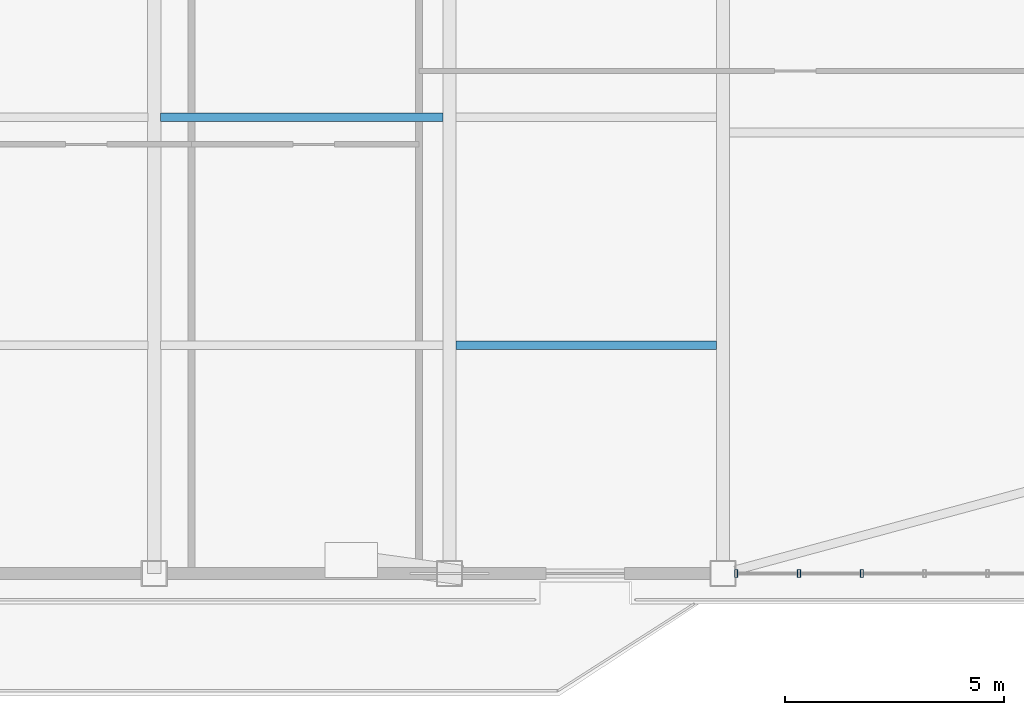
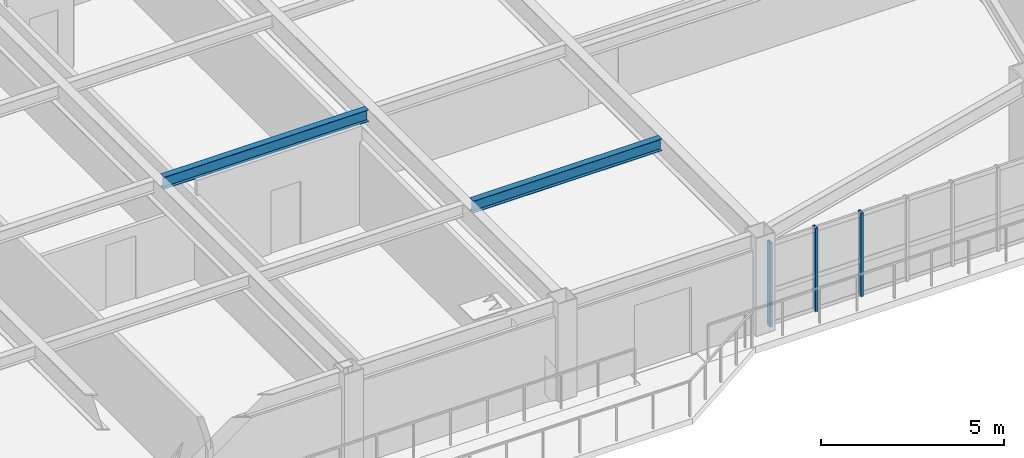
# One storey, part 4 of 17: 3 members, 2 beams, 1 element without a shape of its own.
"""IFC4 building model written with IfcOpenShell, lengths in metres."""

import ifcopenshell
import ifcopenshell.guid

model = None  # the IFC model being written
_history = None  # IfcOwnerHistory: only IFC2X3 demands one
_inside = {}  # id of a spatial element -> (the spatial element, [elements in it])
_under = {}  # id of a project, library or spatial element -> (it, [spatial elements below it])
_declared = {}  # id of a project -> (the project, [libraries it declares])
_typed = {}  # id of a type object -> (the type object, [elements of that type])
_made_of = {}  # id of a material, layer set ... -> (it, [elements and type objects made of it])


def new_model(schema):
    """Start an empty IFC model of exactly this schema.

    Asked for "IFC4X3", IfcOpenShell would pick the latest addendum, in which some entities
    have other attributes; the version numbers below select the first issue.
    IFC2X3 requires an IfcOwnerHistory on every rooted entity: one is made here for all.
    """
    global model, _history
    if schema == "IFC4X3":
        model = ifcopenshell.file(schema_version=(4, 3, 0, 0))
    else:
        model = ifcopenshell.file(schema=schema)
    _inside.clear()
    _under.clear()
    _declared.clear()
    _typed.clear()
    _made_of.clear()
    _history = None
    if model.schema == "IFC2X3":
        org = make("IfcOrganization", Name="unknown")
        user = make(
            "IfcPersonAndOrganization",
            ThePerson=make("IfcPerson", FamilyName="unknown"),
            TheOrganization=org,
        )
        app = make(
            "IfcApplication",
            ApplicationDeveloper=org,
            Version="unknown",
            ApplicationFullName="unknown",
            ApplicationIdentifier="unknown",
        )
        _history = make(
            "IfcOwnerHistory",
            OwningUser=user,
            OwningApplication=app,
            ChangeAction="ADDED",
            CreationDate=0,
        )
    return model


def make(cls, **values):
    """One entity of the class cls with the attributes given. An attribute that is None is left unset."""
    return model.create_entity(
        cls, **{name: value for name, value in values.items() if value is not None}
    )


def rooted(cls, **values):
    """An entity with a GlobalId (a new one), such as an element, a storey or a relation."""
    return make(cls, GlobalId=ifcopenshell.guid.new(), OwnerHistory=_history, **values)


def si_unit(unit_type, name, prefix=None):
    """IfcSIUnit, for example si_unit("LENGTHUNIT", "METRE", prefix="MILLI")."""
    return make("IfcSIUnit", UnitType=unit_type, Prefix=prefix, Name=name)


def assignment(units):
    """IfcUnitAssignment: the units of a project."""
    return None if units is None else make("IfcUnitAssignment", Units=units)


def point(xyz):
    """IfcCartesianPoint."""
    return None if xyz is None else make("IfcCartesianPoint", Coordinates=xyz)


def direction(xyz):
    """IfcDirection."""
    return None if xyz is None else make("IfcDirection", DirectionRatios=xyz)


def frame(location, z_axis=None, x_axis=None):
    """IfcAxis2Placement3D, a coordinate frame: its origin and axes. An axis left out is left unset."""
    return make(
        "IfcAxis2Placement3D",
        Location=point(location),
        Axis=direction(z_axis),
        RefDirection=direction(x_axis),
    )


def frame_2d(location, x_axis=None):
    """IfcAxis2Placement2D, a coordinate frame in the plane: its origin and x axis."""
    return make(
        "IfcAxis2Placement2D", Location=point(location), RefDirection=direction(x_axis)
    )


def origin():
    """The frame at (0, 0, 0) with its axes left unset."""
    return frame((0.0, 0.0, 0.0))


def origin_2d():
    """The frame at (0, 0) in the plane with its x axis left unset."""
    return frame_2d((0.0, 0.0))


def place(relative_to, where):
    """IfcLocalPlacement: puts the frame where relative to a parent placement (None: the world)."""
    return make(
        "IfcLocalPlacement", PlacementRelTo=relative_to, RelativePlacement=where
    )


def context(
    kind, dimensions, precision=None, world=None, true_north=None, identifier=None
):
    """IfcGeometricRepresentationContext, for example the 3D "Model" context."""
    return make(
        "IfcGeometricRepresentationContext",
        ContextIdentifier=identifier,
        ContextType=kind,
        CoordinateSpaceDimension=dimensions,
        Precision=precision,
        WorldCoordinateSystem=world,
        TrueNorth=true_north,
    )


def subcontext(parent, identifier, kind, view, scale=None):
    """IfcGeometricRepresentationSubContext, for example "Body" below "Model"."""
    return make(
        "IfcGeometricRepresentationSubContext",
        ContextIdentifier=identifier,
        ContextType=kind,
        ParentContext=parent,
        TargetScale=scale,
        TargetView=view,
    )


def project(units=None, contexts=None):
    """IfcProject with its units and contexts."""
    return rooted(
        "IfcProject",
        Name="project",
        RepresentationContexts=contexts,
        UnitsInContext=assignment(units),
    )


def spatial(cls, under=None, at=None, **own):
    """A site, building, storey or space (cls), placed at a placement, below another one or the project."""
    s = rooted(cls, ObjectPlacement=at, **own)
    if under is not None:
        _under.setdefault(under.id(), (under, []))[1].append(s)
    return s


def profile(cls, at=None, kind="AREA", **sizes):
    """A parametric profile (cls). Its sizes go by their IFC names, for example OverallWidth=200.0."""
    return make(cls, ProfileType=kind, Position=at, **sizes)


def hollow_rectangle(**sizes):
    """IfcRectangleHollowProfileDef."""
    return profile("IfcRectangleHollowProfileDef", **sizes)


def i_section(**sizes):
    """IfcIShapeProfileDef."""
    return profile("IfcIShapeProfileDef", **sizes)


def extrude(swept, where, along, depth):
    """IfcExtrudedAreaSolid: the profile swept, set in the frame where, extruded along a direction by depth."""
    return make(
        "IfcExtrudedAreaSolid",
        SweptArea=swept,
        Position=where,
        ExtrudedDirection=direction(along),
        Depth=depth,
    )


def shape(context_of_items, identifier, shape_type, items):
    """IfcShapeRepresentation: the items that make up one representation, for example the "Body"."""
    return make(
        "IfcShapeRepresentation",
        ContextOfItems=context_of_items,
        RepresentationIdentifier=identifier,
        RepresentationType=shape_type,
        Items=items,
    )


def source(mapping_origin, context_of_items, identifier, shape_type, items):
    """IfcRepresentationMap: a shape defined once, which mapped items show again and again."""
    return make(
        "IfcRepresentationMap",
        MappingOrigin=mapping_origin,
        MappedRepresentation=shape(context_of_items, identifier, shape_type, items),
    )


def transform(
    local_origin,
    x_axis=None,
    y_axis=None,
    z_axis=None,
    scale=None,
    scale2=None,
    scale3=None,
    uniform=True,
):
    """IfcCartesianTransformationOperator3D, or its non-uniform kind. x_axis, y_axis, z_axis: its Axis1, 2, 3."""
    if uniform:
        return make(
            "IfcCartesianTransformationOperator3D",
            Axis1=direction(x_axis),
            Axis2=direction(y_axis),
            LocalOrigin=point(local_origin),
            Scale=scale,
            Axis3=direction(z_axis),
        )
    return make(
        "IfcCartesianTransformationOperator3DnonUniform",
        Axis1=direction(x_axis),
        Axis2=direction(y_axis),
        LocalOrigin=point(local_origin),
        Scale=scale,
        Axis3=direction(z_axis),
        Scale2=scale2,
        Scale3=scale3,
    )


def mapped(mapping_source, mapping_target):
    """IfcMappedItem: shows the shape of a source again, moved by a transform."""
    return make(
        "IfcMappedItem", MappingSource=mapping_source, MappingTarget=mapping_target
    )


def material(Name=None, Category=None):
    """IfcMaterial."""
    return make("IfcMaterial", Name=Name, Category=Category)


def layer(
    of_material, thickness, ventilated=None, Name=None, Category=None, Priority=None
):
    """IfcMaterialLayer: one layer of a wall or slab, of a material (None: an air gap)."""
    return make(
        "IfcMaterialLayer",
        Material=of_material,
        LayerThickness=thickness,
        IsVentilated=ventilated,
        Name=Name,
        Category=Category,
        Priority=Priority,
    )


def layer_set(layers, Name=None):
    """IfcMaterialLayerSet."""
    return make("IfcMaterialLayerSet", MaterialLayers=layers, LayerSetName=Name)


def material_profile(
    of_material, cross_section, Name=None, Category=None, Priority=None
):
    """IfcMaterialProfile: a cross section and its material."""
    return make(
        "IfcMaterialProfile",
        Name=Name,
        Material=of_material,
        Profile=cross_section,
        Priority=Priority,
        Category=Category,
    )


def profile_set(profiles, Name=None, composite=None):
    """IfcMaterialProfileSet."""
    return make(
        "IfcMaterialProfileSet",
        Name=Name,
        MaterialProfiles=profiles,
        CompositeProfile=composite,
    )


def made_of(thing, what):
    """Note that an element or type object is made of a material, layer set ...; save() writes the relation."""
    if what is not None:
        _made_of.setdefault(what.id(), (what, []))[1].append(thing)
    return thing


def type_object(cls, material=None, **own):
    """A type object (cls), such as IfcWallType, which elements share."""
    return made_of(rooted(cls, **own), material)


def element(
    cls,
    number,
    at=None,
    inside=None,
    cuts=None,
    type_object=None,
    material=None,
    context=None,
    identifier="Body",
    shape_type=None,
    held_by="IfcProductDefinitionShape",
    body=None,
    shapes=None,
    **own,
):
    """One element of the class cls, such as IfcWall. Its Tag is "e" and its number.

    at: its placement. inside: the storey or other place that contains it. cuts: it is an
    opening in that element (IfcRelVoidsElement). A single representation is given by context,
    identifier, shape_type and body (its items); several are given by shapes. held_by: the class
    of the entity that holds the representations. save() writes the other relations.
    """
    e = rooted(cls, Tag="e%d" % number, ObjectPlacement=at, **own)
    if body is not None:
        shapes = [shape(context, identifier, shape_type, body)]
    if shapes is not None:
        e.Representation = make(held_by, Representations=shapes)
    if inside is not None:
        _inside.setdefault(inside.id(), (inside, []))[1].append(e)
    if cuts is not None:
        rooted(
            "IfcRelVoidsElement", RelatingBuildingElement=cuts, RelatedOpeningElement=e
        )
    if type_object is not None:
        _typed.setdefault(type_object.id(), (type_object, []))[1].append(e)
    return made_of(e, material)


def aggregate(whole, parts):
    """IfcRelAggregates: a whole, such as a stair, and the parts it consists of."""
    return rooted("IfcRelAggregates", RelatingObject=whole, RelatedObjects=parts)


def save(model, path):
    """Write the relations noted so far, then the file.

    IfcRelAggregates (storeys below a building ...), IfcRelContainedInSpatialStructure (elements
    in a storey), IfcRelDefinesByType, IfcRelAssociatesMaterial and IfcRelDeclares: one each for
    every whole, place, type object, material and project.
    """
    for whole, parts in _under.values():
        aggregate(whole, parts)
    for where, things in _inside.values():
        rooted(
            "IfcRelContainedInSpatialStructure",
            RelatedElements=things,
            RelatingStructure=where,
        )
    for kind, things in _typed.values():
        rooted("IfcRelDefinesByType", RelatedObjects=things, RelatingType=kind)
    for what, things in _made_of.values():
        rooted("IfcRelAssociatesMaterial", RelatedObjects=things, RelatingMaterial=what)
    for by, libraries in _declared.values():
        rooted("IfcRelDeclares", RelatingContext=by, RelatedDefinitions=libraries)
    model.write(path)


model = new_model("IFC4")

# Units and contexts
model_context = context("Model", 3, precision=1e-05, world=origin(), true_north=direction((0.0, 1.0)))
body_context = subcontext(model_context, "Body", "Model", "MODEL_VIEW")
ifc_project = project(units=[si_unit("LENGTHUNIT", "METRE"), si_unit("AREAUNIT", "SQUARE_METRE"), si_unit("VOLUMEUNIT", "CUBIC_METRE"), si_unit("PLANEANGLEUNIT", "RADIAN"), si_unit("MASSUNIT", "GRAM", prefix="KILO")], contexts=[model_context])

# Site, building, storey
site_placement = place(None, origin())
site = spatial("IfcSite", under=ifc_project, at=site_placement, CompositionType="ELEMENT")
building_placement = place(site_placement, origin())
building = spatial("IfcBuilding", under=site, at=building_placement, Name="Giltprow Tower", CompositionType="ELEMENT")
storey_placement = place(building_placement, frame((0.0, 0.0, 202.699951171875)))
storey = spatial("IfcBuildingStorey", under=building, at=storey_placement, Name="L51", CompositionType="ELEMENT", Elevation=202.699951171875)

# Beams
ifc_material_1 = material(Name="Structural steel Q355B", Category="steel")
ifc_material_profile_1 = material_profile(ifc_material_1, i_section(OverallWidth=0.199951171875, OverallDepth=0.39990234375, WebThickness=0.008056640625, FlangeThickness=0.012939453125, at=origin_2d()), Name="HN 400x200x8x13")
ifc_profile_set_1 = profile_set([ifc_material_profile_1], Name="Structural steel Q355B")
beam_type = type_object("IfcBeamType", Name="BM-JOIST-HN400", PredefinedType="JOIST", material=ifc_profile_set_1)
shared_shape_1 = source(origin(), body_context, "Body", "SweptSolid", [
    extrude(i_section(OverallWidth=0.199951171875, OverallDepth=0.39990234375, WebThickness=0.008056640625, FlangeThickness=0.012939453125, at=origin_2d()), origin(), (0.0, 0.0, 1.0), 6.4599609375),
])
beam_1_placement = place(storey_placement, frame((37.695068359375, 21.81201171875, 3.070068359375), z_axis=(1.0, 0.0, 0.0), x_axis=(0.0, 1.0, 0.0)))
element("IfcBeam", 1, at=beam_1_placement, inside=storey, type_object=beam_type, Name="L51 Composite Floor Joist 2-3", PredefinedType="JOIST", context=body_context, shape_type="MappedRepresentation", body=[
    mapped(shared_shape_1, transform((0.0, 0.0, 0.0), x_axis=(1.0, 0.0, 0.0), y_axis=(0.0, 1.0, 0.0), z_axis=(0.0, 0.0, 1.0), scale=1.0)),
])
shared_shape_2 = source(origin(), body_context, "Body", "SweptSolid", [
    extrude(i_section(OverallWidth=0.199951171875, OverallDepth=0.39990234375, WebThickness=0.008056640625, FlangeThickness=0.012939453125, at=origin_2d()), origin(), (0.0, 0.0, 1.0), 5.9599609375),
])
beam_2_placement = place(storey_placement, frame((44.445068359375, 16.59912109375, 3.070068359375), z_axis=(1.0, 0.0, 0.0), x_axis=(0.0, 1.0, 0.0)))
element("IfcBeam", 2, at=beam_2_placement, inside=storey, type_object=beam_type, Name="L51 Composite Floor Joist 1-4", PredefinedType="JOIST", context=body_context, shape_type="MappedRepresentation", body=[
    mapped(shared_shape_2, transform((0.0, 0.0, 0.0), x_axis=(1.0, 0.0, 0.0), y_axis=(0.0, 1.0, 0.0), z_axis=(0.0, 0.0, 1.0), scale=1.0)),
])

# Curtain wall, members
ifc_material_2 = material(Name="Anodized bronze", Category="metal")
ifc_layer = layer(ifc_material_2, 0.179931640625, Name="Anodized bronze")
ifc_layer_set = layer_set([ifc_layer], Name="Anodized bronze")
curtain_wall_type = type_object("IfcCurtainWallType", Name="CW-HTL-BRONZE", PredefinedType="NOTDEFINED", material=ifc_layer_set)
curtain_wall_placement = place(storey_placement, origin())
curtain_wall = element("IfcCurtainWall", 3, at=curtain_wall_placement, inside=storey, type_object=curtain_wall_type, Name="L51 South Recessed Curtain Wall 6", PredefinedType="NOTDEFINED")
ifc_material_profile_2 = material_profile(ifc_material_2, hollow_rectangle(XDim=0.074951171875, YDim=0.179931640625, WallThickness=0.008056640625, at=origin_2d()), Name="RHS 180x75x8")
ifc_profile_set_2 = profile_set([ifc_material_profile_2], Name="Anodized bronze")
member_type = type_object("IfcMemberType", Name="CW-MULLION-180x75", PredefinedType="MULLION", material=ifc_profile_set_2)
shared_shape_3 = source(origin(), body_context, "Body", "SweptSolid", [
    extrude(hollow_rectangle(XDim=0.074951171875, YDim=0.179931640625, WallThickness=0.008056640625, at=origin_2d()), origin(), (0.0, 0.0, 1.0), 2.80517578125),
])
member_1_placement = place(storey_placement, frame((50.85009765625, 11.385986328125, -0.02001953125), z_axis=(0.0, 0.0, 1.0), x_axis=(1.0, 0.0, 0.0)))
member_1 = element("IfcMember", 4, at=member_1_placement, type_object=member_type, Name="L51 South Recessed Curtain Wall 6 Mullion 1", PredefinedType="MULLION", context=body_context, shape_type="MappedRepresentation", body=[
    mapped(shared_shape_3, transform((0.0, 0.0, 0.0), x_axis=(1.0, 0.0, 0.0), y_axis=(0.0, 1.0, 0.0), z_axis=(0.0, 0.0, 1.0), scale=1.0)),
])
member_2_placement = place(storey_placement, frame((52.284912109375, 11.385986328125, -0.02001953125), z_axis=(0.0, 0.0, 1.0), x_axis=(1.0, 0.0, 0.0)))
member_2 = element("IfcMember", 5, at=member_2_placement, type_object=member_type, Name="L51 South Recessed Curtain Wall 6 Mullion 2", PredefinedType="MULLION", context=body_context, shape_type="MappedRepresentation", body=[
    mapped(shared_shape_3, transform((0.0, 0.0, 0.0), x_axis=(1.0, 0.0, 0.0), y_axis=(0.0, 1.0, 0.0), z_axis=(0.0, 0.0, 1.0), scale=1.0)),
])
member_3_placement = place(storey_placement, frame((53.720947265625, 11.385986328125, -0.02001953125), z_axis=(0.0, 0.0, 1.0), x_axis=(1.0, 0.0, 0.0)))
member_3 = element("IfcMember", 6, at=member_3_placement, type_object=member_type, Name="L51 South Recessed Curtain Wall 6 Mullion 3", PredefinedType="MULLION", context=body_context, shape_type="MappedRepresentation", body=[
    mapped(shared_shape_3, transform((0.0, 0.0, 0.0), x_axis=(1.0, 0.0, 0.0), y_axis=(0.0, 1.0, 0.0), z_axis=(0.0, 0.0, 1.0), scale=1.0)),
])
aggregate(curtain_wall, [member_1, member_2, member_3])

save(model, "model.ifc")
